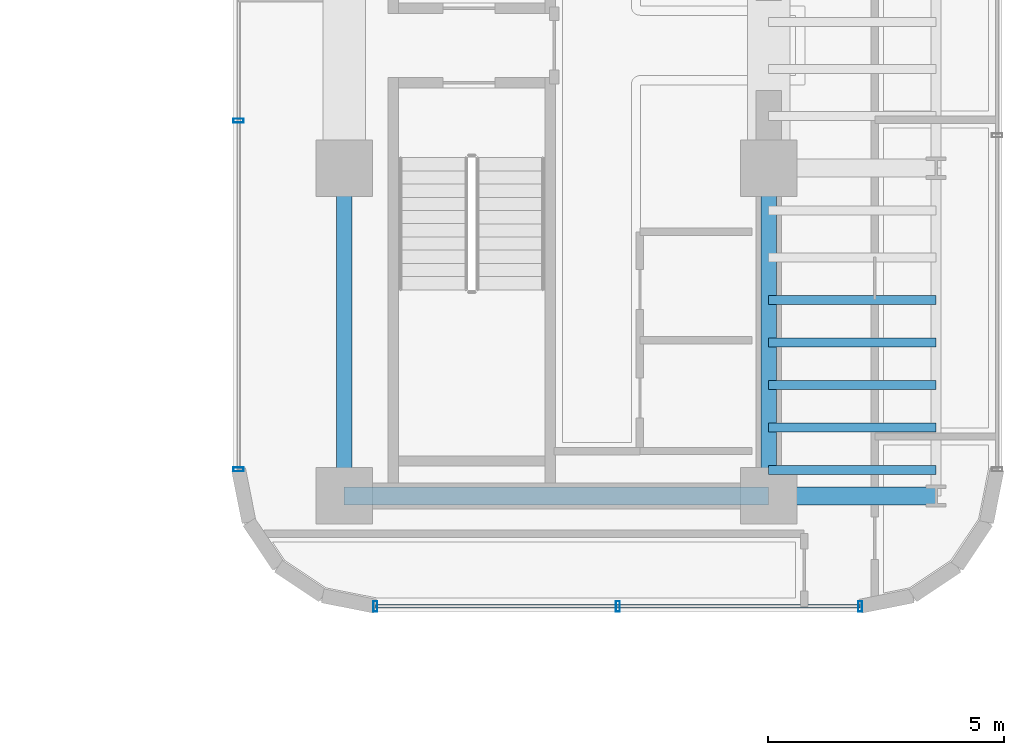
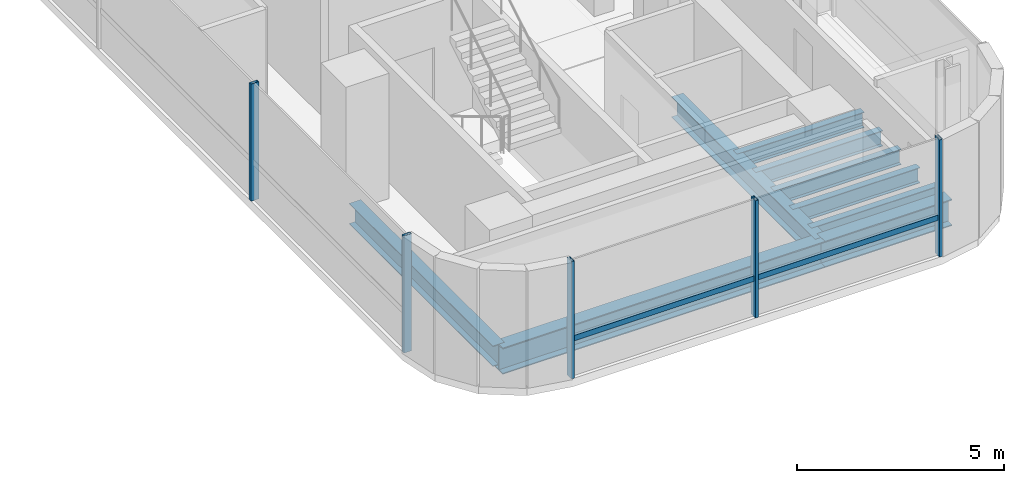
# One storey, part 12 of 36: 9 beams, 6 members, 2 elements without a shape of their own.
"""IFC4 building model written with IfcOpenShell, lengths in metres."""

from ifc_helpers import new_model, si_unit, direction, frame, origin, origin_2d, place, context, subcontext, project, spatial, hollow_rectangle, i_section, extrude, source, transform, mapped, material, material_profile, profile_set, type_object, element, aggregate, save


model = new_model("IFC4")

# Units and contexts
model_context = context("Model", 3, precision=1e-05, world=origin(), true_north=direction((0.0, 1.0)))
body_context = subcontext(model_context, "Body", "Model", "MODEL_VIEW")
ifc_project = project(units=[si_unit("LENGTHUNIT", "METRE"), si_unit("AREAUNIT", "SQUARE_METRE"), si_unit("VOLUMEUNIT", "CUBIC_METRE"), si_unit("PLANEANGLEUNIT", "RADIAN"), si_unit("MASSUNIT", "GRAM", prefix="KILO")], contexts=[model_context])

# Site, building, storey
site_placement = place(None, origin())
site = spatial("IfcSite", under=ifc_project, at=site_placement, CompositionType="ELEMENT")
building_placement = place(site_placement, origin())
building = spatial("IfcBuilding", under=site, at=building_placement, Name="Valdorenza Pilgrim Sanctuary Tower", CompositionType="ELEMENT")
storey_placement = place(building_placement, frame((0.0, 0.0, 153.800048828125)))
storey = spatial("IfcBuildingStorey", under=building, at=storey_placement, Name="L39", CompositionType="ELEMENT", Elevation=153.800048828125)

# Beams
ifc_material_1 = material(Name="Steel ASTM A992 Grade 50", Category="steel")
ifc_material_profile_1 = material_profile(ifc_material_1, i_section(OverallWidth=0.323974609375, OverallDepth=0.611083984375, WebThickness=0.0126953125, FlangeThickness=0.01904296875, at=origin_2d()), Name="W24X104")
ifc_profile_set_1 = profile_set([ifc_material_profile_1], Name="Steel ASTM A992 Grade 50")
beam_type_1 = type_object("IfcBeamType", Name="STR-BM-GRD-W24B", PredefinedType="BEAM", material=ifc_profile_set_1)
shared_shape_1 = source(origin(), body_context, "Body", "SweptSolid", [
    extrude(i_section(OverallWidth=0.323974609375, OverallDepth=0.611083984375, WebThickness=0.0126953125, FlangeThickness=0.01904296875, at=origin_2d()), origin(), (0.0, 0.0, 1.0), 6.949951171875),
])
for number, where, z_axis, x_axis, name in (
    (1, (15.85009765625, -9.550048828125, -0.545654296875), (0.0, 1.0, 0.0), (-1.0, 0.0, 0.0), "L39 Core Tie Girder CB-W-S1M0"),
    (2, (24.85009765625, -9.550048828125, -0.545654296875), (0.0, 1.0, 0.0), (-1.0, 0.0, 0.0), "L39 Core Tie Girder CB-E-S1M0"),
):
    element("IfcBeam", number, at=place(storey_placement, frame(where, z_axis=z_axis, x_axis=x_axis)), inside=storey, type_object=beam_type_1, Name=name, PredefinedType="BEAM", context=body_context, shape_type="MappedRepresentation", body=[
        mapped(shared_shape_1, transform((0.0, 0.0, 0.0), x_axis=(1.0, 0.0, 0.0), y_axis=(0.0, 1.0, 0.0), z_axis=(0.0, 0.0, 1.0), scale=1.0)),
    ])
ifc_material_profile_2 = material_profile(ifc_material_1, i_section(OverallWidth=0.382080078125, OverallDepth=0.779052734375, WebThickness=0.01806640625, FlangeThickness=0.030029296875, at=origin_2d()), Name="W30X191")
ifc_profile_set_2 = profile_set([ifc_material_profile_2], Name="Steel ASTM A992 Grade 50")
beam_type_2 = type_object("IfcBeamType", Name="STR-BM-GRD-W30", PredefinedType="BEAM", material=ifc_profile_set_2)
shared_shape_2 = source(origin(), body_context, "Body", "SweptSolid", [
    extrude(i_section(OverallWidth=0.382080078125, OverallDepth=0.779052734375, WebThickness=0.01806640625, FlangeThickness=0.030029296875, at=origin_2d()), origin(), (0.0, 0.0, 1.0), 9.0),
])
beam_1_placement = place(storey_placement, frame((15.85009765625, -9.550048828125, -0.629638671875), z_axis=(1.0, 0.0, 0.0), x_axis=(0.0, 1.0, 0.0)))
element("IfcBeam", 3, at=beam_1_placement, inside=storey, type_object=beam_type_2, Name="L39 Floor Girder CB-XC-S1", PredefinedType="BEAM", context=body_context, shape_type="MappedRepresentation", body=[
    mapped(shared_shape_2, transform((0.0, 0.0, 0.0), x_axis=(1.0, 0.0, 0.0), y_axis=(0.0, 1.0, 0.0), z_axis=(0.0, 0.0, 1.0), scale=1.0)),
])
shared_shape_3 = source(origin(), body_context, "Body", "SweptSolid", [
    extrude(i_section(OverallWidth=0.382080078125, OverallDepth=0.779052734375, WebThickness=0.01806640625, FlangeThickness=0.030029296875, at=origin_2d()), origin(), (0.0, 0.0, 1.0), 3.5498046875),
])
beam_2_placement = place(storey_placement, frame((24.85009765625, -9.550048828125, -0.629638671875), z_axis=(1.0, 0.0, 0.0), x_axis=(0.0, 1.0, 0.0)))
element("IfcBeam", 4, at=beam_2_placement, inside=storey, type_object=beam_type_2, Name="L39 Floor Girder WB-XE-S1", PredefinedType="BEAM", context=body_context, shape_type="MappedRepresentation", body=[
    mapped(shared_shape_3, transform((0.0, 0.0, 0.0), x_axis=(1.0, 0.0, 0.0), y_axis=(0.0, 1.0, 0.0), z_axis=(0.0, 0.0, 1.0), scale=1.0)),
])
ifc_material_profile_3 = material_profile(ifc_material_1, i_section(OverallWidth=0.19091796875, OverallDepth=0.45703125, WebThickness=0.009033203125, FlangeThickness=0.014404296875, at=origin_2d()), Name="W18X50")
ifc_profile_set_3 = profile_set([ifc_material_profile_3], Name="Steel ASTM A992 Grade 50")
beam_type_3 = type_object("IfcBeamType", Name="STR-BM-JST-W18B", PredefinedType="JOIST", material=ifc_profile_set_3)
shared_shape_4 = source(origin(), body_context, "Body", "SweptSolid", [
    extrude(i_section(OverallWidth=0.19091796875, OverallDepth=0.45703125, WebThickness=0.009033203125, FlangeThickness=0.014404296875, at=origin_2d()), origin(), (0.0, 0.0, 1.0), 3.5498046875),
])
for number, where, z_axis, x_axis, name in (
    (5, (24.85009765625, -9.0, -0.468505859375), (1.0, 0.0, 0.0), (0.0, 1.0, 0.0), "L39 Composite Floor Joist JST-WB-1"),
    (6, (24.85009765625, -8.10009765625, -0.468505859375), (1.0, 0.0, 0.0), (0.0, 1.0, 0.0), "L39 Composite Floor Joist JST-WB-2"),
    (7, (24.85009765625, -7.199951171875, -0.468505859375), (1.0, 0.0, 0.0), (0.0, 1.0, 0.0), "L39 Composite Floor Joist JST-WB-3"),
    (8, (24.85009765625, -6.300048828125, -0.468505859375), (1.0, 0.0, 0.0), (0.0, 1.0, 0.0), "L39 Composite Floor Joist JST-WB-4"),
    (9, (24.85009765625, -5.39990234375, -0.468505859375), (1.0, 0.0, 0.0), (0.0, 1.0, 0.0), "L39 Composite Floor Joist JST-WB-5"),
):
    element("IfcBeam", number, at=place(storey_placement, frame(where, z_axis=z_axis, x_axis=x_axis)), inside=storey, type_object=beam_type_3, Name=name, PredefinedType="JOIST", context=body_context, shape_type="MappedRepresentation", body=[
        mapped(shared_shape_4, transform((0.0, 0.0, 0.0), x_axis=(1.0, 0.0, 0.0), y_axis=(0.0, 1.0, 0.0), z_axis=(0.0, 0.0, 1.0), scale=1.0)),
    ])

# Curtain wall, members
ifc_material_2 = material(Name="Curtain-wall IGU glazing", Category="glass")
curtain_wall_type = type_object("IfcCurtainWallType", Name="CW-SYS-03", PredefinedType="NOTDEFINED", material=ifc_material_2)
curtain_wall_1_placement = place(storey_placement, origin())
curtain_wall_1 = element("IfcCurtainWall", 10, at=curtain_wall_1_placement, inside=storey, type_object=curtain_wall_type, Name="L39 Curtain Wall CW-L39-2-1", PredefinedType="NOTDEFINED")
ifc_material_3 = material(Name="Anodised aluminium AW-6060", Category="aluminium")
ifc_material_profile_4 = material_profile(ifc_material_3, hollow_rectangle(XDim=0.0849609375, YDim=0.219970703125, WallThickness=0.0048828125, at=origin_2d()), Name="ALU-M 220x85x5")
ifc_profile_set_4 = profile_set([ifc_material_profile_4], Name="Anodised aluminium AW-6060")
member_type_1 = type_object("IfcMemberType", Name="CW-MUL-03", PredefinedType="MULLION", material=ifc_profile_set_4)
shared_shape_5 = source(origin(), body_context, "Body", "SweptSolid", [
    extrude(hollow_rectangle(XDim=0.0849609375, YDim=0.219970703125, WallThickness=0.0048828125, at=origin_2d()), origin(), (0.0, 0.0, 1.0), 3.4599609375),
])
member_1_placement = place(storey_placement, frame((13.610107421875, -8.9892578125, 0.0), z_axis=(0.0, 0.0, 1.0), x_axis=(0.0, 1.0, 0.0)))
member_1 = element("IfcMember", 11, at=member_1_placement, type_object=member_type_1, Name="CW-L39-2-1 Mullion 1", PredefinedType="MULLION", context=body_context, shape_type="MappedRepresentation", body=[
    mapped(shared_shape_5, transform((0.0, 0.0, 0.0), x_axis=(1.0, 0.0, 0.0), y_axis=(0.0, 1.0, 0.0), z_axis=(0.0, 0.0, 1.0), scale=1.0)),
])
member_2_placement = place(storey_placement, frame((13.610107421875, -1.593017578125, 0.0), z_axis=(0.0, 0.0, 1.0), x_axis=(0.0, 1.0, 0.0)))
member_2 = element("IfcMember", 12, at=member_2_placement, type_object=member_type_1, Name="CW-L39-2-1 Mullion 2", PredefinedType="MULLION", context=body_context, shape_type="MappedRepresentation", body=[
    mapped(shared_shape_5, transform((0.0, 0.0, 0.0), x_axis=(1.0, 0.0, 0.0), y_axis=(0.0, 1.0, 0.0), z_axis=(0.0, 0.0, 1.0), scale=1.0)),
])
aggregate(curtain_wall_1, [member_1, member_2])

curtain_wall_2_placement = place(storey_placement, origin())
curtain_wall_2 = element("IfcCurtainWall", 13, at=curtain_wall_2_placement, inside=storey, type_object=curtain_wall_type, Name="L39 Curtain Wall CW-L39-2-16", PredefinedType="NOTDEFINED")
member_3_placement = place(storey_placement, frame((26.789306640625, -11.889892578125, 0.0), z_axis=(0.0, 0.0, 1.0), x_axis=(-1.0, 0.0, 0.0)))
member_3 = element("IfcMember", 14, at=member_3_placement, type_object=member_type_1, Name="CW-L39-2-16 Mullion 1", PredefinedType="MULLION", context=body_context, shape_type="MappedRepresentation", body=[
    mapped(shared_shape_5, transform((0.0, 0.0, 0.0), x_axis=(1.0, 0.0, 0.0), y_axis=(0.0, 1.0, 0.0), z_axis=(0.0, 0.0, 1.0), scale=1.0)),
])
member_4_placement = place(storey_placement, frame((21.64990234375, -11.889892578125, 0.0), z_axis=(0.0, 0.0, 1.0), x_axis=(-1.0, 0.0, 0.0)))
member_4 = element("IfcMember", 15, at=member_4_placement, type_object=member_type_1, Name="CW-L39-2-16 Mullion 2", PredefinedType="MULLION", context=body_context, shape_type="MappedRepresentation", body=[
    mapped(shared_shape_5, transform((0.0, 0.0, 0.0), x_axis=(1.0, 0.0, 0.0), y_axis=(0.0, 1.0, 0.0), z_axis=(0.0, 0.0, 1.0), scale=1.0)),
])
member_5_placement = place(storey_placement, frame((16.5107421875, -11.889892578125, 0.0), z_axis=(0.0, 0.0, 1.0), x_axis=(-1.0, 0.0, 0.0)))
member_5 = element("IfcMember", 16, at=member_5_placement, type_object=member_type_1, Name="CW-L39-2-16 Mullion 3", PredefinedType="MULLION", context=body_context, shape_type="MappedRepresentation", body=[
    mapped(shared_shape_5, transform((0.0, 0.0, 0.0), x_axis=(1.0, 0.0, 0.0), y_axis=(0.0, 1.0, 0.0), z_axis=(0.0, 0.0, 1.0), scale=1.0)),
])
ifc_material_profile_5 = material_profile(ifc_material_3, hollow_rectangle(XDim=0.074951171875, YDim=0.159912109375, WallThickness=0.00390625, at=origin_2d()), Name="ALU-T 160x75x4")
ifc_profile_set_5 = profile_set([ifc_material_profile_5], Name="Anodised aluminium AW-6060")
member_type_2 = type_object("IfcMemberType", Name="CW-TRN-03", PredefinedType="USERDEFINED", material=ifc_profile_set_5)
shared_shape_6 = source(origin(), body_context, "Body", "SweptSolid", [
    extrude(hollow_rectangle(XDim=0.074951171875, YDim=0.159912109375, WallThickness=0.00390625, at=origin_2d()), origin(), (0.0, 0.0, 1.0), 10.278564453125),
])
member_6_placement = place(storey_placement, frame((26.789306640625, -11.889892578125, 1.119873046875), z_axis=(-1.0, 0.0, 0.0), x_axis=(0.0, -1.0, 0.0)))
member_6 = element("IfcMember", 17, at=member_6_placement, type_object=member_type_2, Name="CW-L39-2-16 Transom 1", ObjectType="TRANSOM", PredefinedType="USERDEFINED", context=body_context, shape_type="MappedRepresentation", body=[
    mapped(shared_shape_6, transform((0.0, 0.0, 0.0), x_axis=(1.0, 0.0, 0.0), y_axis=(0.0, 1.0, 0.0), z_axis=(0.0, 0.0, 1.0), scale=1.0)),
])
aggregate(curtain_wall_2, [member_3, member_4, member_5, member_6])

save(model, "model.ifc")
